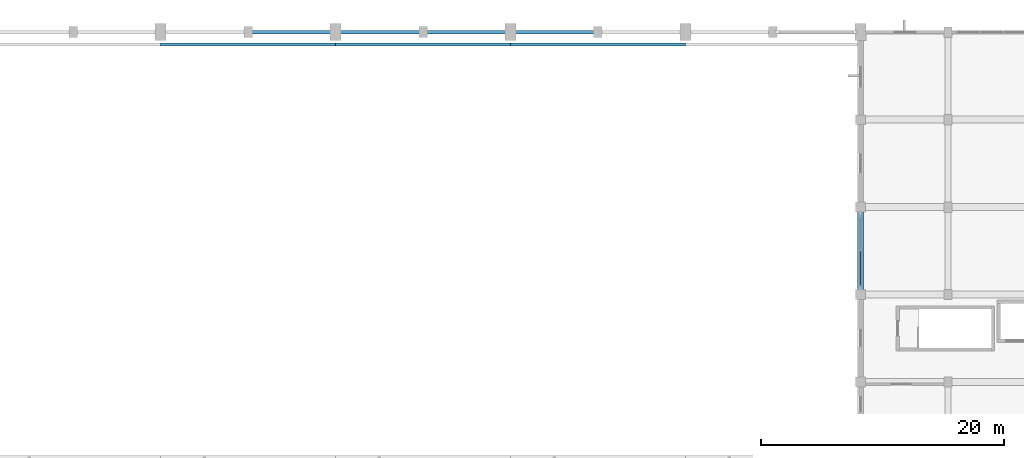
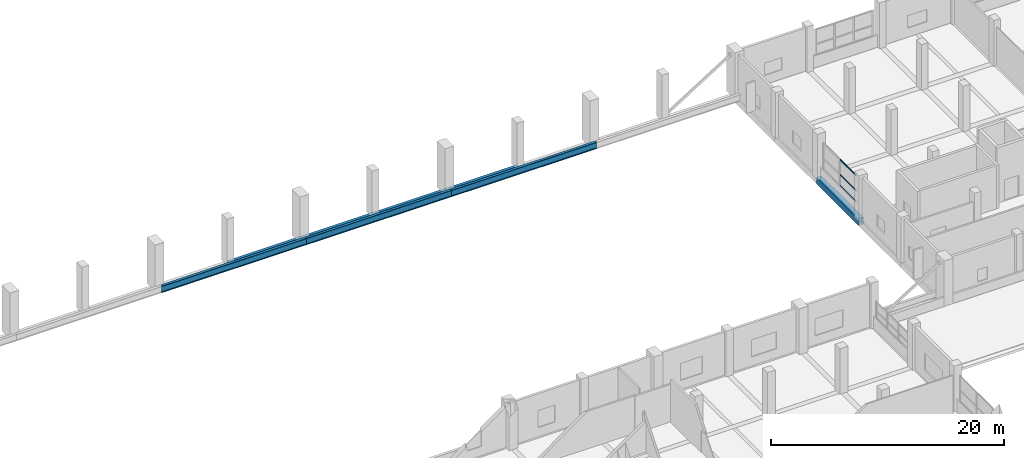
# One storey, part 76 of 140: 8 beams, 3 members, 1 element without a shape of its own.
"""IFC4 building model written with IfcOpenShell, lengths in metres."""

from ifc_helpers import new_model, si_unit, direction, frame, origin, origin_2d, place, context, subcontext, project, spatial, rectangle, hollow_rectangle, i_section, extrude, material, layer, layer_set, material_profile, profile_set, type_object, element, aggregate, save


model = new_model("IFC4")

# Units and contexts
model_context = context("Model", 3, precision=1e-05, world=origin(), true_north=direction((0.0, 1.0)))
body_context = subcontext(model_context, "Body", "Model", "MODEL_VIEW")
ifc_project = project(units=[si_unit("LENGTHUNIT", "METRE"), si_unit("AREAUNIT", "SQUARE_METRE"), si_unit("VOLUMEUNIT", "CUBIC_METRE"), si_unit("PLANEANGLEUNIT", "RADIAN"), si_unit("MASSUNIT", "GRAM", prefix="KILO")], contexts=[model_context])

# Site, building, storey
site_placement = place(None, origin())
site = spatial("IfcSite", under=ifc_project, at=site_placement, CompositionType="ELEMENT")
building_placement = place(site_placement, origin())
building = spatial("IfcBuilding", under=site, at=building_placement, Name="Seraya Terrace Polytechnic", CompositionType="ELEMENT")
storey_placement = place(building_placement, frame((0.0, 0.0, 9.60009765625)))
storey = spatial("IfcBuildingStorey", under=building, at=storey_placement, Name="L02", CompositionType="ELEMENT", Elevation=9.60009765625)

# Beams
ifc_material_1 = material(Name="Concrete C40/50", Category="concrete")
ifc_material_profile_1 = material_profile(ifc_material_1, rectangle(XDim=0.5, YDim=0.699951171875, at=origin_2d()), Name="RC 500x700")
ifc_profile_set_1 = profile_set([ifc_material_profile_1], Name="Concrete C40/50")
beam_type_1 = type_object("IfcBeamType", Name="BM-07", PredefinedType="BEAM", material=ifc_profile_set_1)
beam_1_placement = place(storey_placement, frame((115.199951171875, 93.60009765625, -0.35009765625), z_axis=(0.0, 1.0, 0.0), x_axis=(-1.0, 0.0, 0.0)))
element("IfcBeam", 1, at=beam_1_placement, inside=storey, type_object=beam_type_1, Name="Beam BM-07 L02 Y (115.2, 93.6..100.8)", PredefinedType="BEAM", context=body_context, shape_type="SweptSolid", body=[
    extrude(rectangle(XDim=0.5, YDim=0.699951171875, at=origin_2d()), origin(), (0.0, 0.0, 1.0), 7.199951171875),
])
ifc_material_2 = material(Name="Steel S355J2", Category="steel")
ifc_material_profile_2 = material_profile(ifc_material_2, i_section(OverallWidth=0.25390625, OverallDepth=0.68603515625, WebThickness=0.014404296875, FlangeThickness=0.023681640625, at=origin_2d()), Name="UKB 686x254x14.5x23.7")
ifc_profile_set_2 = profile_set([ifc_material_profile_2], Name="Steel S355J2")
beam_type_2 = type_object("IfcBeamType", Name="CRB-01", PredefinedType="USERDEFINED", material=ifc_profile_set_2)
for number, where, z_axis, x_axis, name in (
    (2, (57.60009765625, 114.179931640625, 0.2568359375), (1.0, 0.0, 0.0), (0.0, 1.0, 0.0), "Crane runway girder CRB-01 bay 3 (N)"),
    (3, (72.0, 114.179931640625, 0.2568359375), (1.0, 0.0, 0.0), (0.0, 1.0, 0.0), "Crane runway girder CRB-01 bay 4 (N)"),
):
    element("IfcBeam", number, at=place(storey_placement, frame(where, z_axis=z_axis, x_axis=x_axis)), inside=storey, type_object=beam_type_2, Name=name, ObjectType="CRANE_RUNWAY_BEAM", PredefinedType="USERDEFINED", context=body_context, shape_type="SweptSolid", body=[
        extrude(i_section(OverallWidth=0.25390625, OverallDepth=0.68603515625, WebThickness=0.014404296875, FlangeThickness=0.023681640625, at=origin_2d()), origin(), (0.0, 0.0, 1.0), 14.39990234375),
    ])
beam_2_placement = place(storey_placement, frame((86.39990234375, 114.179931640625, 0.2568359375), z_axis=(1.0, 0.0, 0.0), x_axis=(0.0, 1.0, 0.0)))
element("IfcBeam", 4, at=beam_2_placement, inside=storey, type_object=beam_type_2, Name="Crane runway girder CRB-01 bay 5 (N)", ObjectType="CRANE_RUNWAY_BEAM", PredefinedType="USERDEFINED", context=body_context, shape_type="SweptSolid", body=[
    extrude(i_section(OverallWidth=0.25390625, OverallDepth=0.68603515625, WebThickness=0.014404296875, FlangeThickness=0.023681640625, at=origin_2d()), origin(), (0.0, 0.0, 1.0), 14.400146484375),
])

# Curtain wall, members
ifc_material_3 = material(Name="Anodised aluminium EN AW-6063 T6", Category="aluminium")
ifc_layer = layer(ifc_material_3, 0.179931640625, Name="CW-22")
ifc_layer_set = layer_set([ifc_layer], Name="Anodised aluminium EN AW-6063 T6")
curtain_wall_type = type_object("IfcCurtainWallType", Name="CW-22", PredefinedType="NOTDEFINED", material=ifc_layer_set)
curtain_wall_placement = place(storey_placement, origin())
curtain_wall = element("IfcCurtainWall", 5, at=curtain_wall_placement, inside=storey, type_object=curtain_wall_type, Name="Unitised curtain wall CW-22 (CW-L02-094)", PredefinedType="NOTDEFINED")
ifc_material_profile_3 = material_profile(ifc_material_3, hollow_rectangle(XDim=0.06005859375, YDim=0.139892578125, WallThickness=0.00341796875, at=origin_2d()), Name="RHS 140x60x3.5")
ifc_profile_set_3 = profile_set([ifc_material_profile_3], Name="Anodised aluminium EN AW-6063 T6")
member_type = type_object("IfcMemberType", Name="CWT-01", PredefinedType="USERDEFINED", material=ifc_profile_set_3)
member_1_placement = place(storey_placement, frame((115.199951171875, 94.385009765625, 1.27001953125), z_axis=(0.0, 1.0, 0.0), x_axis=(-1.0, 0.0, 0.0)))
member_1 = element("IfcMember", 6, at=member_1_placement, type_object=member_type, Name="CW-22 transom 1.1", ObjectType="TRANSOM", PredefinedType="USERDEFINED", context=body_context, shape_type="SweptSolid", body=[
    extrude(hollow_rectangle(XDim=0.06005859375, YDim=0.139892578125, WallThickness=0.00341796875, at=origin_2d()), origin(), (0.0, 0.0, 1.0), 2.782470703125),
])
member_2_placement = place(storey_placement, frame((115.199951171875, 94.385009765625, 2.399169921875), z_axis=(0.0, 1.0, 0.0), x_axis=(-1.0, 0.0, 0.0)))
member_2 = element("IfcMember", 7, at=member_2_placement, type_object=member_type, Name="CW-22 transom 1.2", ObjectType="TRANSOM", PredefinedType="USERDEFINED", context=body_context, shape_type="SweptSolid", body=[
    extrude(hollow_rectangle(XDim=0.06005859375, YDim=0.139892578125, WallThickness=0.00341796875, at=origin_2d()), origin(), (0.0, 0.0, 1.0), 2.782470703125),
])
member_3_placement = place(storey_placement, frame((115.199951171875, 94.385009765625, 3.969970703125), z_axis=(0.0, 1.0, 0.0), x_axis=(-1.0, 0.0, 0.0)))
member_3 = element("IfcMember", 8, at=member_3_placement, type_object=member_type, Name="CW-22 transom 1.3", ObjectType="TRANSOM", PredefinedType="USERDEFINED", context=body_context, shape_type="SweptSolid", body=[
    extrude(hollow_rectangle(XDim=0.06005859375, YDim=0.139892578125, WallThickness=0.00341796875, at=origin_2d()), origin(), (0.0, 0.0, 1.0), 2.782470703125),
])
aggregate(curtain_wall, [member_1, member_2, member_3])

# Beams
ifc_material_profile_4 = material_profile(ifc_material_1, rectangle(XDim=0.300048828125, YDim=0.64990234375, at=origin_2d()), Name="RC 300x650")
ifc_profile_set_4 = profile_set([ifc_material_profile_4], Name="Concrete C40/50")
beam_type_3 = type_object("IfcBeamType", Name="SP-01", PredefinedType="SPANDREL", material=ifc_profile_set_4)
for number, where, z_axis, x_axis, name in (
    (9, (64.800048828125, 115.199951171875, -0.3251953125), (1.0, 0.0, 0.0), (0.0, 1.0, 0.0), "Beam SP-01 L02 X (64.8..72.0, 115.2)"),
    (10, (72.0, 115.199951171875, -0.3251953125), (1.0, 0.0, 0.0), (0.0, 1.0, 0.0), "Beam SP-01 L02 X (72.0..79.2, 115.2)"),
    (11, (79.199951171875, 115.199951171875, -0.3251953125), (1.0, 0.0, 0.0), (0.0, 1.0, 0.0), "Beam SP-01 L02 X (79.2..86.4, 115.2)"),
):
    element("IfcBeam", number, at=place(storey_placement, frame(where, z_axis=z_axis, x_axis=x_axis)), inside=storey, type_object=beam_type_3, Name=name, PredefinedType="SPANDREL", context=body_context, shape_type="SweptSolid", body=[
        extrude(rectangle(XDim=0.300048828125, YDim=0.64990234375, at=origin_2d()), origin(), (0.0, 0.0, 1.0), 7.199951171875),
    ])
beam_3_placement = place(storey_placement, frame((86.39990234375, 115.199951171875, -0.3251953125), z_axis=(1.0, 0.0, 0.0), x_axis=(0.0, 1.0, 0.0)))
element("IfcBeam", 12, at=beam_3_placement, inside=storey, type_object=beam_type_3, Name="Beam SP-01 L02 X (86.4..93.6, 115.2)", PredefinedType="SPANDREL", context=body_context, shape_type="SweptSolid", body=[
    extrude(rectangle(XDim=0.300048828125, YDim=0.64990234375, at=origin_2d()), origin(), (0.0, 0.0, 1.0), 7.2001953125),
])

save(model, "model.ifc")
